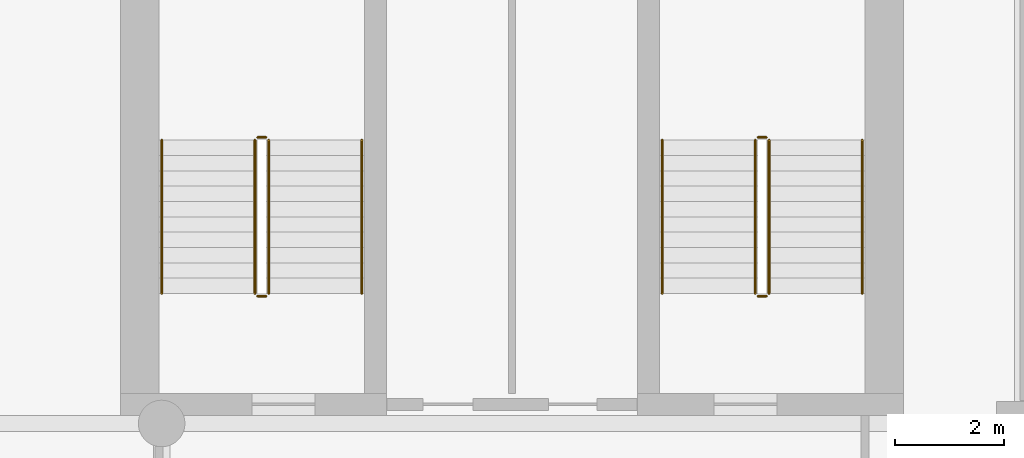
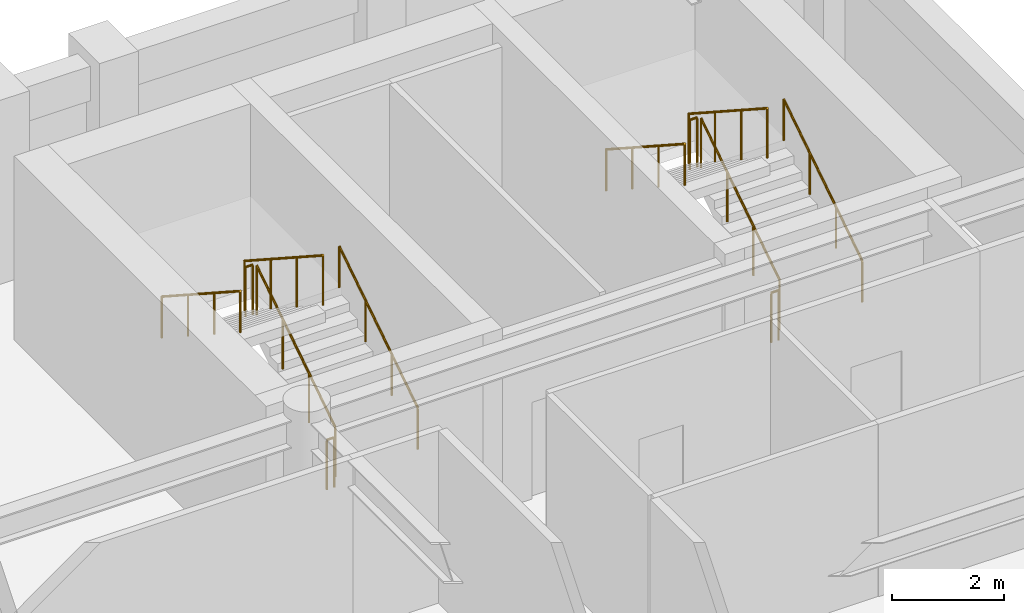
# One storey, part 8 of 8: 12 railings.
"""IFC4 building model written with IfcOpenShell, lengths in metres."""

from ifc_helpers import new_model, si_unit, direction, frame, origin, origin_2d, place, context, subcontext, project, spatial, circle, extrude, material, type_object, element, save


model = new_model("IFC4")

# Units and contexts
model_context = context("Model", 3, precision=1e-05, world=origin(), true_north=direction((0.0, 1.0)))
body_context = subcontext(model_context, "Body", "Model", "MODEL_VIEW")
ifc_project = project(units=[si_unit("LENGTHUNIT", "METRE"), si_unit("AREAUNIT", "SQUARE_METRE"), si_unit("VOLUMEUNIT", "CUBIC_METRE"), si_unit("PLANEANGLEUNIT", "RADIAN"), si_unit("MASSUNIT", "GRAM", prefix="KILO")], contexts=[model_context])

# Site, building, storey
site_placement = place(None, origin())
site = spatial("IfcSite", under=ifc_project, at=site_placement, CompositionType="ELEMENT")
building_placement = place(site_placement, origin())
building = spatial("IfcBuilding", under=site, at=building_placement, Name="Sulina Concourse Tower", CompositionType="ELEMENT")
storey_placement = place(building_placement, frame((0.0, 0.0, 194.60009765625)))
storey = spatial("IfcBuildingStorey", under=building, at=storey_placement, Name="L47", CompositionType="ELEMENT", Elevation=194.60009765625)

# Railings
ifc_material_1 = material(Name="Galvanised steel railing", Category="steel")
railing_type_1 = type_object("IfcRailingType", Name="Core Stair Steel Guardrail 1150mm", PredefinedType="GUARDRAIL", material=ifc_material_1)
railing_1_placement = place(storey_placement, frame((43.554931640625, 36.375, 0.181640625)))
element("IfcRailing", 1, at=railing_1_placement, inside=storey, type_object=railing_type_1, Name="L47 ST-3 stair guard 1", PredefinedType="GUARDRAIL", context=body_context, shape_type="SweptSolid", body=[
    extrude(circle(Radius=0.02392578125, at=origin_2d()), frame((0.0, 0.0, 1.076171875), z_axis=(0.0, 0.838672427954, 0.544636170843), x_axis=(-1.0, 0.0, 0.0)), (0.0, 0.0, 1.0), 3.338623046875),
    extrude(circle(Radius=0.02099609375, at=origin_2d()), origin(), (0.0, 0.0, 1.0), 1.052001953125),
    extrude(circle(Radius=0.02099609375, at=origin_2d()), frame((0.0, 0.933349609375, 0.606201171875)), (0.0, 0.0, 1.0), 1.052001953125),
    extrude(circle(Radius=0.02099609375, at=origin_2d()), frame((0.0, 1.86669921875, 1.212158203125)), (0.0, 0.0, 1.0), 1.052001953125),
    extrude(circle(Radius=0.02099609375, at=origin_2d()), frame((0.0, 2.800048828125, 1.818359375)), (0.0, 0.0, 1.0), 1.052001953125),
])
railing_2_placement = place(storey_placement, frame((43.5048828125, 39.22509765625, 2.0)))
element("IfcRailing", 2, at=railing_2_placement, inside=storey, type_object=railing_type_1, Name="L47 ST-3 stair guard 2", PredefinedType="GUARDRAIL", context=body_context, shape_type="SweptSolid", body=[
    extrude(circle(Radius=0.02392578125, at=origin_2d()), frame((0.0, 0.0, 1.076171875), z_axis=(-1.0, 0.0, 0.0), x_axis=(0.0, -1.0, 0.0)), (0.0, 0.0, 1.0), 0.14990234375),
    extrude(circle(Radius=0.02099609375, at=origin_2d()), origin(), (0.0, 0.0, 1.0), 1.052001953125),
    extrude(circle(Radius=0.02099609375, at=origin_2d()), frame((-0.14990234375, 0.0, 0.0)), (0.0, 0.0, 1.0), 1.052001953125),
])
railing_3_placement = place(storey_placement, frame((43.304931640625, 39.175048828125, 2.181640625)))
element("IfcRailing", 3, at=railing_3_placement, inside=storey, type_object=railing_type_1, Name="L47 ST-3 stair guard 3", PredefinedType="GUARDRAIL", context=body_context, shape_type="SweptSolid", body=[
    extrude(circle(Radius=0.02392578125, at=origin_2d()), frame((0.0, 0.0, 1.076171875), z_axis=(0.0, -0.838672427954, 0.544636170843), x_axis=(1.0, 0.0, 0.0)), (0.0, 0.0, 1.0), 3.338623046875),
    extrude(circle(Radius=0.02099609375, at=origin_2d()), origin(), (0.0, 0.0, 1.0), 1.052001953125),
    extrude(circle(Radius=0.02099609375, at=origin_2d()), frame((0.0, -0.933349609375, 0.606201171875)), (0.0, 0.0, 1.0), 1.052001953125),
    extrude(circle(Radius=0.02099609375, at=origin_2d()), frame((0.0, -1.86669921875, 1.212158203125)), (0.0, 0.0, 1.0), 1.052001953125),
    extrude(circle(Radius=0.02099609375, at=origin_2d()), frame((0.0, -2.800048828125, 1.818359375)), (0.0, 0.0, 1.0), 1.052001953125),
])
railing_4_placement = place(storey_placement, frame((43.5048828125, 36.324951171875, 0.0)))
element("IfcRailing", 4, at=railing_4_placement, inside=storey, type_object=railing_type_1, Name="L47 ST-3 stair guard 4", PredefinedType="GUARDRAIL", context=body_context, shape_type="SweptSolid", body=[
    extrude(circle(Radius=0.02392578125, at=origin_2d()), frame((0.0, 0.0, 1.076171875), z_axis=(-1.0, 0.0, 0.0), x_axis=(0.0, -1.0, 0.0)), (0.0, 0.0, 1.0), 0.14990234375),
    extrude(circle(Radius=0.02099609375, at=origin_2d()), origin(), (0.0, 0.0, 1.0), 1.052001953125),
    extrude(circle(Radius=0.02099609375, at=origin_2d()), frame((-0.14990234375, 0.0, 0.0)), (0.0, 0.0, 1.0), 1.052001953125),
])
railing_5_placement = place(storey_placement, frame((52.695068359375, 36.375, 0.181640625)))
element("IfcRailing", 5, at=railing_5_placement, inside=storey, type_object=railing_type_1, Name="L47 ST-4 stair guard 1", PredefinedType="GUARDRAIL", context=body_context, shape_type="SweptSolid", body=[
    extrude(circle(Radius=0.02392578125, at=origin_2d()), frame((0.0, 0.0, 1.076171875), z_axis=(0.0, 0.838672427954, 0.544636170843), x_axis=(-1.0, 0.0, 0.0)), (0.0, 0.0, 1.0), 3.338623046875),
    extrude(circle(Radius=0.02099609375, at=origin_2d()), origin(), (0.0, 0.0, 1.0), 1.052001953125),
    extrude(circle(Radius=0.02099609375, at=origin_2d()), frame((0.0, 0.933349609375, 0.606201171875)), (0.0, 0.0, 1.0), 1.052001953125),
    extrude(circle(Radius=0.02099609375, at=origin_2d()), frame((0.0, 1.86669921875, 1.212158203125)), (0.0, 0.0, 1.0), 1.052001953125),
    extrude(circle(Radius=0.02099609375, at=origin_2d()), frame((0.0, 2.800048828125, 1.818359375)), (0.0, 0.0, 1.0), 1.052001953125),
])
railing_6_placement = place(storey_placement, frame((52.64501953125, 39.22509765625, 2.0)))
element("IfcRailing", 6, at=railing_6_placement, inside=storey, type_object=railing_type_1, Name="L47 ST-4 stair guard 2", PredefinedType="GUARDRAIL", context=body_context, shape_type="SweptSolid", body=[
    extrude(circle(Radius=0.02392578125, at=origin_2d()), frame((0.0, 0.0, 1.076171875), z_axis=(-1.0, 0.0, 0.0), x_axis=(0.0, -1.0, 0.0)), (0.0, 0.0, 1.0), 0.14990234375),
    extrude(circle(Radius=0.02099609375, at=origin_2d()), origin(), (0.0, 0.0, 1.0), 1.052001953125),
    extrude(circle(Radius=0.02099609375, at=origin_2d()), frame((-0.14990234375, 0.0, 0.0)), (0.0, 0.0, 1.0), 1.052001953125),
])
railing_7_placement = place(storey_placement, frame((52.445068359375, 39.175048828125, 2.181640625)))
element("IfcRailing", 7, at=railing_7_placement, inside=storey, type_object=railing_type_1, Name="L47 ST-4 stair guard 3", PredefinedType="GUARDRAIL", context=body_context, shape_type="SweptSolid", body=[
    extrude(circle(Radius=0.02392578125, at=origin_2d()), frame((0.0, 0.0, 1.076171875), z_axis=(0.0, -0.838672427954, 0.544636170843), x_axis=(1.0, 0.0, 0.0)), (0.0, 0.0, 1.0), 3.338623046875),
    extrude(circle(Radius=0.02099609375, at=origin_2d()), origin(), (0.0, 0.0, 1.0), 1.052001953125),
    extrude(circle(Radius=0.02099609375, at=origin_2d()), frame((0.0, -0.933349609375, 0.606201171875)), (0.0, 0.0, 1.0), 1.052001953125),
    extrude(circle(Radius=0.02099609375, at=origin_2d()), frame((0.0, -1.86669921875, 1.212158203125)), (0.0, 0.0, 1.0), 1.052001953125),
    extrude(circle(Radius=0.02099609375, at=origin_2d()), frame((0.0, -2.800048828125, 1.818359375)), (0.0, 0.0, 1.0), 1.052001953125),
])
railing_8_placement = place(storey_placement, frame((52.64501953125, 36.324951171875, 0.0)))
element("IfcRailing", 8, at=railing_8_placement, inside=storey, type_object=railing_type_1, Name="L47 ST-4 stair guard 4", PredefinedType="GUARDRAIL", context=body_context, shape_type="SweptSolid", body=[
    extrude(circle(Radius=0.02392578125, at=origin_2d()), frame((0.0, 0.0, 1.076171875), z_axis=(-1.0, 0.0, 0.0), x_axis=(0.0, -1.0, 0.0)), (0.0, 0.0, 1.0), 0.14990234375),
    extrude(circle(Radius=0.02099609375, at=origin_2d()), origin(), (0.0, 0.0, 1.0), 1.052001953125),
    extrude(circle(Radius=0.02099609375, at=origin_2d()), frame((-0.14990234375, 0.0, 0.0)), (0.0, 0.0, 1.0), 1.052001953125),
])
ifc_material_2 = material(Name="Galvanised steel railing", Category="steel")
railing_type_2 = type_object("IfcRailingType", Name="Stair Wall Steel Handrail 920mm", PredefinedType="HANDRAIL", material=ifc_material_2)
railing_9_placement = place(storey_placement, frame((45.2548828125, 36.375, 0.181640625)))
element("IfcRailing", 9, at=railing_9_placement, inside=storey, type_object=railing_type_2, Name="L47 ST-3 stair handrail 1", PredefinedType="HANDRAIL", context=body_context, shape_type="SweptSolid", body=[
    extrude(circle(Radius=0.02392578125, at=origin_2d()), frame((0.0, 0.0, 0.89599609375), z_axis=(0.0, 0.838672427954, 0.544636170843), x_axis=(-1.0, 0.0, 0.0)), (0.0, 0.0, 1.0), 3.338623046875),
    extrude(circle(Radius=0.02099609375, at=origin_2d()), origin(), (0.0, 0.0, 1.0), 0.871826171875),
    extrude(circle(Radius=0.02099609375, at=origin_2d()), frame((0.0, 0.933349609375, 0.606201171875)), (0.0, 0.0, 1.0), 0.871826171875),
    extrude(circle(Radius=0.02099609375, at=origin_2d()), frame((0.0, 1.86669921875, 1.212158203125)), (0.0, 0.0, 1.0), 0.871826171875),
    extrude(circle(Radius=0.02099609375, at=origin_2d()), frame((0.0, 2.800048828125, 1.818359375)), (0.0, 0.0, 1.0), 0.871826171875),
])
railing_10_placement = place(storey_placement, frame((41.60498046875, 39.175048828125, 2.181640625)))
element("IfcRailing", 10, at=railing_10_placement, inside=storey, type_object=railing_type_2, Name="L47 ST-3 stair handrail 2", PredefinedType="HANDRAIL", context=body_context, shape_type="SweptSolid", body=[
    extrude(circle(Radius=0.02392578125, at=origin_2d()), frame((0.0, 0.0, 0.89599609375), z_axis=(0.0, -0.838672427954, 0.544636170843), x_axis=(1.0, 0.0, 0.0)), (0.0, 0.0, 1.0), 3.338623046875),
    extrude(circle(Radius=0.02099609375, at=origin_2d()), origin(), (0.0, 0.0, 1.0), 0.871826171875),
    extrude(circle(Radius=0.02099609375, at=origin_2d()), frame((0.0, -0.933349609375, 0.606201171875)), (0.0, 0.0, 1.0), 0.871826171875),
    extrude(circle(Radius=0.02099609375, at=origin_2d()), frame((0.0, -1.86669921875, 1.212158203125)), (0.0, 0.0, 1.0), 0.871826171875),
    extrude(circle(Radius=0.02099609375, at=origin_2d()), frame((0.0, -2.800048828125, 1.818359375)), (0.0, 0.0, 1.0), 0.871826171875),
])
railing_11_placement = place(storey_placement, frame((54.39501953125, 36.375, 0.181640625)))
element("IfcRailing", 11, at=railing_11_placement, inside=storey, type_object=railing_type_2, Name="L47 ST-4 stair handrail 1", PredefinedType="HANDRAIL", context=body_context, shape_type="SweptSolid", body=[
    extrude(circle(Radius=0.02392578125, at=origin_2d()), frame((0.0, 0.0, 0.89599609375), z_axis=(0.0, 0.838672427954, 0.544636170843), x_axis=(-1.0, 0.0, 0.0)), (0.0, 0.0, 1.0), 3.338623046875),
    extrude(circle(Radius=0.02099609375, at=origin_2d()), origin(), (0.0, 0.0, 1.0), 0.871826171875),
    extrude(circle(Radius=0.02099609375, at=origin_2d()), frame((0.0, 0.933349609375, 0.606201171875)), (0.0, 0.0, 1.0), 0.871826171875),
    extrude(circle(Radius=0.02099609375, at=origin_2d()), frame((0.0, 1.86669921875, 1.212158203125)), (0.0, 0.0, 1.0), 0.871826171875),
    extrude(circle(Radius=0.02099609375, at=origin_2d()), frame((0.0, 2.800048828125, 1.818359375)), (0.0, 0.0, 1.0), 0.871826171875),
])
railing_12_placement = place(storey_placement, frame((50.7451171875, 39.175048828125, 2.181640625)))
element("IfcRailing", 12, at=railing_12_placement, inside=storey, type_object=railing_type_2, Name="L47 ST-4 stair handrail 2", PredefinedType="HANDRAIL", context=body_context, shape_type="SweptSolid", body=[
    extrude(circle(Radius=0.02392578125, at=origin_2d()), frame((0.0, 0.0, 0.89599609375), z_axis=(0.0, -0.838672427954, 0.544636170843), x_axis=(1.0, 0.0, 0.0)), (0.0, 0.0, 1.0), 3.338623046875),
    extrude(circle(Radius=0.02099609375, at=origin_2d()), origin(), (0.0, 0.0, 1.0), 0.871826171875),
    extrude(circle(Radius=0.02099609375, at=origin_2d()), frame((0.0, -0.933349609375, 0.606201171875)), (0.0, 0.0, 1.0), 0.871826171875),
    extrude(circle(Radius=0.02099609375, at=origin_2d()), frame((0.0, -1.86669921875, 1.212158203125)), (0.0, 0.0, 1.0), 0.871826171875),
    extrude(circle(Radius=0.02099609375, at=origin_2d()), frame((0.0, -2.800048828125, 1.818359375)), (0.0, 0.0, 1.0), 0.871826171875),
])

save(model, "model.ifc")
